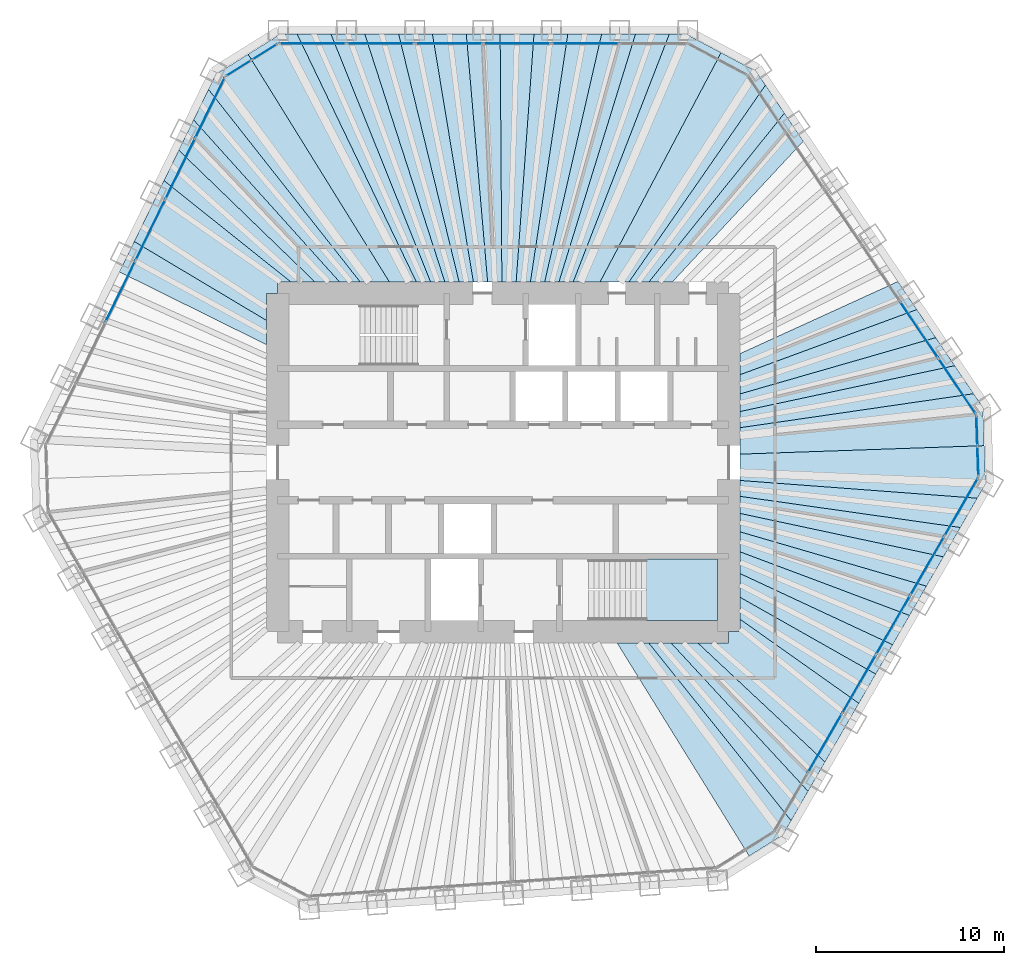
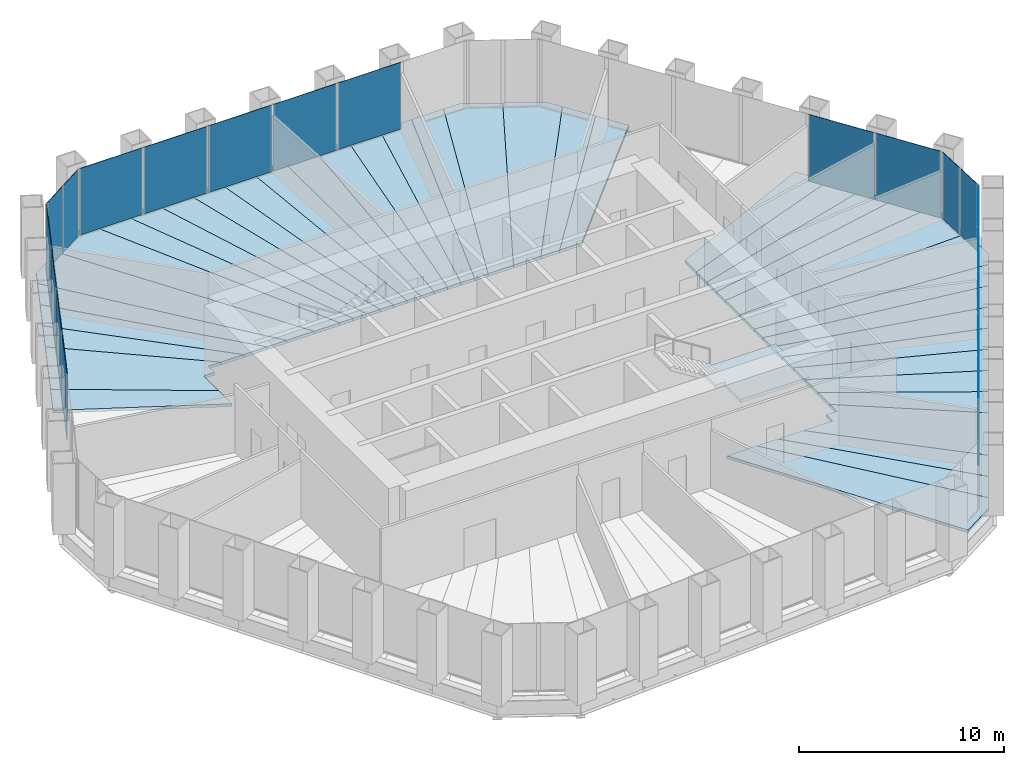
# One storey, part 9 of 13: 40 slabs, 20 plates, 7 elements without a shape of their own.
"""IFC4 building model written with IfcOpenShell, lengths in metres."""

from ifc_helpers import new_model, si_unit, direction, frame, origin, origin_2d, place, context, subcontext, project, spatial, polyline, rectangle, outline, extrude, material, layer, layer_set, type_object, element, aggregate, save


model = new_model("IFC4")

# Units and contexts
model_context = context("Model", 3, precision=1e-05, world=origin(), true_north=direction((0.0, 1.0)))
body_context = subcontext(model_context, "Body", "Model", "MODEL_VIEW")
ifc_project = project(units=[si_unit("LENGTHUNIT", "METRE"), si_unit("AREAUNIT", "SQUARE_METRE"), si_unit("VOLUMEUNIT", "CUBIC_METRE"), si_unit("PLANEANGLEUNIT", "RADIAN"), si_unit("MASSUNIT", "GRAM", prefix="KILO")], contexts=[model_context])

# Site, building, storey
site_placement = place(None, origin())
site = spatial("IfcSite", under=ifc_project, at=site_placement, CompositionType="ELEMENT")
building_placement = place(site_placement, origin())
building = spatial("IfcBuilding", under=site, at=building_placement, Name="Qingtian Harvest Tower", CompositionType="ELEMENT")
storey_placement = place(building_placement, frame((0.0, 0.0, 214.0)))
storey = spatial("IfcBuildingStorey", under=building, at=storey_placement, Name="L46", CompositionType="ELEMENT", Elevation=214.0)

# Slabs
ifc_material_1 = material(Name="Concrete fc' 35 MPa", Category="concrete")
ifc_layer_1 = layer(ifc_material_1, 0.169921875)
ifc_layer_set_1 = layer_set([ifc_layer_1], Name="Composite floor slab FS17 170")
slab_type_1 = type_object("IfcSlabType", Name="Composite floor slab FS17 170", PredefinedType="FLOOR", material=ifc_layer_set_1)
slab_1_placement = place(storey_placement, frame((0.0, 0.0, -0.169921875)))
element("IfcSlab", 1, at=slab_1_placement, inside=storey, type_object=slab_type_1, Name="Floor slab L46 panel D27", PredefinedType="FLOOR", context=body_context, shape_type="SweptSolid", body=[
    extrude(outline(polyline([(6.059326171875, -9.60009765625), (7.740966796875, -9.60009765625), (15.3271484375, -19.0625), (14.886962890625, -19.8251953125), (13.090576171875, -20.94775390625), (6.059326171875, -9.60009765625)])), origin(), (0.0, 0.0, 1.0), 0.169921875),
])
slab_2_placement = place(storey_placement, frame((0.0, 0.0, -0.169921875)))
element("IfcSlab", 2, at=slab_2_placement, inside=storey, type_object=slab_type_1, Name="Floor slab L46 panel D28", PredefinedType="FLOOR", context=body_context, shape_type="SweptSolid", body=[
    extrude(outline(polyline([(8.929443359375, -9.60009765625), (16.22802734375, -17.50244140625), (15.3271484375, -19.0625), (7.740966796875, -9.60009765625), (8.929443359375, -9.60009765625)])), origin(), (0.0, 0.0, 1.0), 0.169921875),
])
slab_3_placement = place(storey_placement, frame((0.0, 0.0, -0.169921875)))
element("IfcSlab", 3, at=slab_3_placement, inside=storey, type_object=slab_type_1, Name="Floor slab L46 panel D29", PredefinedType="FLOOR", context=body_context, shape_type="SweptSolid", body=[
    extrude(outline(polyline([(10.35205078125, -9.60009765625), (17.128662109375, -15.942138671875), (16.22802734375, -17.50244140625), (8.929443359375, -9.60009765625), (10.35205078125, -9.60009765625)])), origin(), (0.0, 0.0, 1.0), 0.169921875),
])
slab_4_placement = place(storey_placement, frame((0.0, 0.0, -0.169921875)))
element("IfcSlab", 4, at=slab_4_placement, inside=storey, type_object=slab_type_1, Name="Floor slab L46 panel D31", PredefinedType="FLOOR", context=body_context, shape_type="SweptSolid", body=[
    extrude(outline(polyline([(12.60009765625, -8.33984375), (18.931884765625, -12.819091796875), (17.128662109375, -15.942138671875), (10.35205078125, -9.60009765625), (12.0, -9.60009765625), (12.0, -9.0), (12.60009765625, -9.0), (12.60009765625, -8.33984375)])), origin(), (0.0, 0.0, 1.0), 0.169921875),
])
slab_5_placement = place(storey_placement, frame((0.0, 0.0, -0.169921875)))
element("IfcSlab", 5, at=slab_5_placement, inside=storey, type_object=slab_type_1, Name="Floor slab L46 panel D32", PredefinedType="FLOOR", context=body_context, shape_type="SweptSolid", body=[
    extrude(outline(polyline([(12.60009765625, -7.171142578125), (19.830322265625, -11.262939453125), (18.931884765625, -12.819091796875), (12.60009765625, -8.33984375), (12.60009765625, -7.171142578125)])), origin(), (0.0, 0.0, 1.0), 0.169921875),
])
slab_6_placement = place(storey_placement, frame((0.0, 0.0, -0.169921875)))
element("IfcSlab", 6, at=slab_6_placement, inside=storey, type_object=slab_type_1, Name="Floor slab L46 panel D33", PredefinedType="FLOOR", context=body_context, shape_type="SweptSolid", body=[
    extrude(outline(polyline([(12.60009765625, -5.91015625), (20.73095703125, -9.702880859375), (19.830322265625, -11.262939453125), (12.60009765625, -7.171142578125), (12.60009765625, -5.91015625)])), origin(), (0.0, 0.0, 1.0), 0.169921875),
])
slab_7_placement = place(storey_placement, frame((0.0, 0.0, -0.169921875)))
element("IfcSlab", 7, at=slab_7_placement, inside=storey, type_object=slab_type_1, Name="Floor slab L46 panel D34", PredefinedType="FLOOR", context=body_context, shape_type="SweptSolid", body=[
    extrude(outline(polyline([(12.60009765625, -4.75439453125), (21.6318359375, -8.142578125), (20.73095703125, -9.702880859375), (12.60009765625, -5.91015625), (12.60009765625, -4.75439453125)])), origin(), (0.0, 0.0, 1.0), 0.169921875),
])
slab_8_placement = place(storey_placement, frame((0.0, 0.0, -0.169921875)))
element("IfcSlab", 8, at=slab_8_placement, inside=storey, type_object=slab_type_1, Name="Floor slab L46 panel D35", PredefinedType="FLOOR", context=body_context, shape_type="SweptSolid", body=[
    extrude(outline(polyline([(12.60009765625, -3.691162109375), (22.532470703125, -6.58251953125), (21.6318359375, -8.142578125), (12.60009765625, -4.75439453125), (12.60009765625, -3.691162109375)])), origin(), (0.0, 0.0, 1.0), 0.169921875),
])
slab_9_placement = place(storey_placement, frame((0.0, 0.0, -0.169921875)))
element("IfcSlab", 9, at=slab_9_placement, inside=storey, type_object=slab_type_1, Name="Floor slab L46 panel D36", PredefinedType="FLOOR", context=body_context, shape_type="SweptSolid", body=[
    extrude(outline(polyline([(12.60009765625, -2.709716796875), (23.43310546875, -5.022705078125), (22.532470703125, -6.58251953125), (12.60009765625, -3.691162109375), (12.60009765625, -2.709716796875)])), origin(), (0.0, 0.0, 1.0), 0.169921875),
])
slab_10_placement = place(storey_placement, frame((0.0, 0.0, -0.169921875)))
element("IfcSlab", 10, at=slab_10_placement, inside=storey, type_object=slab_type_1, Name="Floor slab L46 panel D37", PredefinedType="FLOOR", context=body_context, shape_type="SweptSolid", body=[
    extrude(outline(polyline([(12.60009765625, -1.801025390625), (24.333740234375, -3.462646484375), (23.43310546875, -5.022705078125), (12.60009765625, -2.709716796875), (12.60009765625, -1.801025390625)])), origin(), (0.0, 0.0, 1.0), 0.169921875),
])
slab_11_placement = place(storey_placement, frame((0.0, 0.0, -0.169921875)))
element("IfcSlab", 11, at=slab_11_placement, inside=storey, type_object=slab_type_1, Name="Floor slab L46 panel D38", PredefinedType="FLOOR", context=body_context, shape_type="SweptSolid", body=[
    extrude(outline(polyline([(12.60009765625, -0.95703125), (25.234619140625, -1.902587890625), (24.333740234375, -3.462646484375), (12.60009765625, -1.801025390625), (12.60009765625, -0.95703125)])), origin(), (0.0, 0.0, 1.0), 0.169921875),
])
slab_12_placement = place(storey_placement, frame((0.0, 0.0, -0.169921875)))
element("IfcSlab", 12, at=slab_12_placement, inside=storey, type_object=slab_type_1, Name="Floor slab L46 panel D39", PredefinedType="FLOOR", context=body_context, shape_type="SweptSolid", body=[
    extrude(outline(polyline([(12.60009765625, -0.95703125), (12.60009765625, 0.442626953125), (25.603759765625, 0.89404296875), (25.6748046875, -1.139892578125), (25.234619140625, -1.902587890625), (12.60009765625, -0.95703125)])), origin(), (0.0, 0.0, 1.0), 0.169921875),
])
slab_13_placement = place(storey_placement, frame((0.0, 0.0, -0.169921875)))
element("IfcSlab", 13, at=slab_13_placement, inside=storey, type_object=slab_type_1, Name="Floor slab L46 panel D40", PredefinedType="FLOOR", context=body_context, shape_type="SweptSolid", body=[
    extrude(outline(polyline([(12.60009765625, 0.442626953125), (12.60009765625, 1.848876953125), (25.040283203125, 3.658203125), (25.53271484375, 2.92822265625), (25.603759765625, 0.89404296875), (12.60009765625, 0.442626953125)])), origin(), (0.0, 0.0, 1.0), 0.169921875),
])
slab_14_placement = place(storey_placement, frame((0.0, 0.0, -0.169921875)))
element("IfcSlab", 14, at=slab_14_placement, inside=storey, type_object=slab_type_1, Name="Floor slab L46 panel D41", PredefinedType="FLOOR", context=body_context, shape_type="SweptSolid", body=[
    extrude(outline(polyline([(12.60009765625, 2.710205078125), (24.032958984375, 5.151611328125), (25.040283203125, 3.658203125), (12.60009765625, 1.848876953125), (12.60009765625, 2.710205078125)])), origin(), (0.0, 0.0, 1.0), 0.169921875),
])
slab_15_placement = place(storey_placement, frame((0.0, 0.0, -0.169921875)))
element("IfcSlab", 15, at=slab_15_placement, inside=storey, type_object=slab_type_1, Name="Floor slab L46 panel D42", PredefinedType="FLOOR", context=body_context, shape_type="SweptSolid", body=[
    extrude(outline(polyline([(12.60009765625, 3.646728515625), (23.025634765625, 6.64501953125), (24.032958984375, 5.151611328125), (12.60009765625, 2.710205078125), (12.60009765625, 3.646728515625)])), origin(), (0.0, 0.0, 1.0), 0.169921875),
])
slab_16_placement = place(storey_placement, frame((0.0, 0.0, -0.169921875)))
element("IfcSlab", 16, at=slab_16_placement, inside=storey, type_object=slab_type_1, Name="Floor slab L46 panel D43", PredefinedType="FLOOR", context=body_context, shape_type="SweptSolid", body=[
    extrude(outline(polyline([(12.60009765625, 4.669189453125), (22.018310546875, 8.138427734375), (23.025634765625, 6.64501953125), (12.60009765625, 3.646728515625), (12.60009765625, 4.669189453125)])), origin(), (0.0, 0.0, 1.0), 0.169921875),
])
slab_17_placement = place(storey_placement, frame((0.0, 0.0, -0.169921875)))
element("IfcSlab", 17, at=slab_17_placement, inside=storey, type_object=slab_type_1, Name="Floor slab L46 panel D44", PredefinedType="FLOOR", context=body_context, shape_type="SweptSolid", body=[
    extrude(outline(polyline([(12.60009765625, 5.7900390625), (21.010986328125, 9.6318359375), (22.018310546875, 8.138427734375), (12.60009765625, 4.669189453125), (12.60009765625, 5.7900390625)])), origin(), (0.0, 0.0, 1.0), 0.169921875),
])
slab_18_placement = place(storey_placement, frame((0.0, 0.0, -0.169921875)))
element("IfcSlab", 18, at=slab_18_placement, inside=storey, type_object=slab_type_1, Name="Floor slab L46 panel D50", PredefinedType="FLOOR", context=body_context, shape_type="SweptSolid", body=[
    extrude(outline(polyline([(7.751220703125, 9.60009765625), (14.967529296875, 18.591796875), (15.974853515625, 17.098388671875), (8.998291015625, 9.60009765625), (7.751220703125, 9.60009765625)])), origin(), (0.0, 0.0, 1.0), 0.169921875),
])
slab_19_placement = place(storey_placement, frame((0.0, 0.0, -0.169921875)))
element("IfcSlab", 19, at=slab_19_placement, inside=storey, type_object=slab_type_1, Name="Floor slab L46 panel D51", PredefinedType="FLOOR", context=body_context, shape_type="SweptSolid", body=[
    extrude(outline(polyline([(6.6904296875, 9.60009765625), (13.960205078125, 20.085205078125), (14.967529296875, 18.591796875), (7.751220703125, 9.60009765625), (6.6904296875, 9.60009765625)])), origin(), (0.0, 0.0, 1.0), 0.169921875),
])
slab_20_placement = place(storey_placement, frame((0.0, 0.0, -0.169921875)))
element("IfcSlab", 20, at=slab_20_placement, inside=storey, type_object=slab_type_1, Name="Floor slab L46 panel D52", PredefinedType="FLOOR", context=body_context, shape_type="SweptSolid", body=[
    extrude(outline(polyline([(6.6904296875, 9.60009765625), (5.15185546875, 9.60009765625), (11.59716796875, 21.809814453125), (13.4677734375, 20.8154296875), (13.960205078125, 20.085205078125), (6.6904296875, 9.60009765625)])), origin(), (0.0, 0.0, 1.0), 0.169921875),
])
slab_21_placement = place(storey_placement, frame((0.0, 0.0, -0.169921875)))
element("IfcSlab", 21, at=slab_21_placement, inside=storey, type_object=slab_type_1, Name="Floor slab L46 panel D53", PredefinedType="FLOOR", context=body_context, shape_type="SweptSolid", body=[
    extrude(outline(polyline([(3.7236328125, 9.60009765625), (8.84521484375, 22.804931640625), (9.7255859375, 22.804931640625), (11.59716796875, 21.809814453125), (5.15185546875, 9.60009765625), (3.7236328125, 9.60009765625)])), origin(), (0.0, 0.0, 1.0), 0.169921875),
])
slab_22_placement = place(storey_placement, frame((0.0, 0.0, -0.169921875)))
element("IfcSlab", 22, at=slab_22_placement, inside=storey, type_object=slab_type_1, Name="Floor slab L46 panel D54", PredefinedType="FLOOR", context=body_context, shape_type="SweptSolid", body=[
    extrude(outline(polyline([(2.96533203125, 9.60009765625), (7.0439453125, 22.804931640625), (8.84521484375, 22.804931640625), (3.7236328125, 9.60009765625), (2.96533203125, 9.60009765625)])), origin(), (0.0, 0.0, 1.0), 0.169921875),
])
slab_23_placement = place(storey_placement, frame((0.0, 0.0, -0.169921875)))
element("IfcSlab", 23, at=slab_23_placement, inside=storey, type_object=slab_type_1, Name="Floor slab L46 panel D55", PredefinedType="FLOOR", context=body_context, shape_type="SweptSolid", body=[
    extrude(outline(polyline([(2.206787109375, 9.60009765625), (5.242431640625, 22.804931640625), (7.0439453125, 22.804931640625), (2.96533203125, 9.60009765625), (2.206787109375, 9.60009765625)])), origin(), (0.0, 0.0, 1.0), 0.169921875),
])
slab_24_placement = place(storey_placement, frame((0.0, 0.0, -0.169921875)))
element("IfcSlab", 24, at=slab_24_placement, inside=storey, type_object=slab_type_1, Name="Floor slab L46 panel D56", PredefinedType="FLOOR", context=body_context, shape_type="SweptSolid", body=[
    extrude(outline(polyline([(1.448486328125, 9.60009765625), (3.441162109375, 22.804931640625), (5.242431640625, 22.804931640625), (2.206787109375, 9.60009765625), (1.448486328125, 9.60009765625)])), origin(), (0.0, 0.0, 1.0), 0.169921875),
])
slab_25_placement = place(storey_placement, frame((0.0, 0.0, -0.169921875)))
element("IfcSlab", 25, at=slab_25_placement, inside=storey, type_object=slab_type_1, Name="Floor slab L46 panel D57", PredefinedType="FLOOR", context=body_context, shape_type="SweptSolid", body=[
    extrude(outline(polyline([(0.690185546875, 9.60009765625), (1.639892578125, 22.804931640625), (3.441162109375, 22.804931640625), (1.448486328125, 9.60009765625), (0.690185546875, 9.60009765625)])), origin(), (0.0, 0.0, 1.0), 0.169921875),
])
slab_26_placement = place(storey_placement, frame((0.0, 0.0, -0.169921875)))
element("IfcSlab", 26, at=slab_26_placement, inside=storey, type_object=slab_type_1, Name="Floor slab L46 panel D58", PredefinedType="FLOOR", context=body_context, shape_type="SweptSolid", body=[
    extrude(outline(polyline([(-0.068115234375, 9.60009765625), (-0.16162109375, 22.804931640625), (1.639892578125, 22.804931640625), (0.690185546875, 9.60009765625), (-0.068115234375, 9.60009765625)])), origin(), (0.0, 0.0, 1.0), 0.169921875),
])
slab_27_placement = place(storey_placement, frame((0.0, 0.0, -0.169921875)))
element("IfcSlab", 27, at=slab_27_placement, inside=storey, type_object=slab_type_1, Name="Floor slab L46 panel D59", PredefinedType="FLOOR", context=body_context, shape_type="SweptSolid", body=[
    extrude(outline(polyline([(-0.826416015625, 9.60009765625), (-1.962890625, 22.804931640625), (-0.16162109375, 22.804931640625), (-0.068115234375, 9.60009765625), (-0.826416015625, 9.60009765625)])), origin(), (0.0, 0.0, 1.0), 0.169921875),
])
slab_28_placement = place(storey_placement, frame((0.0, 0.0, -0.169921875)))
element("IfcSlab", 28, at=slab_28_placement, inside=storey, type_object=slab_type_1, Name="Floor slab L46 panel D60", PredefinedType="FLOOR", context=body_context, shape_type="SweptSolid", body=[
    extrude(outline(polyline([(-1.584716796875, 9.60009765625), (-3.764404296875, 22.804931640625), (-1.962890625, 22.804931640625), (-0.826416015625, 9.60009765625), (-1.584716796875, 9.60009765625)])), origin(), (0.0, 0.0, 1.0), 0.169921875),
])
slab_29_placement = place(storey_placement, frame((0.0, 0.0, -0.169921875)))
element("IfcSlab", 29, at=slab_29_placement, inside=storey, type_object=slab_type_1, Name="Floor slab L46 panel D61", PredefinedType="FLOOR", context=body_context, shape_type="SweptSolid", body=[
    extrude(outline(polyline([(-2.343017578125, 9.60009765625), (-5.565673828125, 22.804931640625), (-3.764404296875, 22.804931640625), (-1.584716796875, 9.60009765625), (-2.343017578125, 9.60009765625)])), origin(), (0.0, 0.0, 1.0), 0.169921875),
])
slab_30_placement = place(storey_placement, frame((0.0, 0.0, -0.169921875)))
element("IfcSlab", 30, at=slab_30_placement, inside=storey, type_object=slab_type_1, Name="Floor slab L46 panel D62", PredefinedType="FLOOR", context=body_context, shape_type="SweptSolid", body=[
    extrude(outline(polyline([(-3.101318359375, 9.60009765625), (-7.366943359375, 22.804931640625), (-5.565673828125, 22.804931640625), (-2.343017578125, 9.60009765625), (-3.101318359375, 9.60009765625)])), origin(), (0.0, 0.0, 1.0), 0.169921875),
])
slab_31_placement = place(storey_placement, frame((0.0, 0.0, -0.169921875)))
element("IfcSlab", 31, at=slab_31_placement, inside=storey, type_object=slab_type_1, Name="Floor slab L46 panel D63", PredefinedType="FLOOR", context=body_context, shape_type="SweptSolid", body=[
    extrude(outline(polyline([(-3.859619140625, 9.60009765625), (-9.16845703125, 22.804931640625), (-7.366943359375, 22.804931640625), (-3.101318359375, 9.60009765625), (-3.859619140625, 9.60009765625)])), origin(), (0.0, 0.0, 1.0), 0.169921875),
])
slab_32_placement = place(storey_placement, frame((0.0, 0.0, -0.169921875)))
element("IfcSlab", 32, at=slab_32_placement, inside=storey, type_object=slab_type_1, Name="Floor slab L46 panel D64", PredefinedType="FLOOR", context=body_context, shape_type="SweptSolid", body=[
    extrude(outline(polyline([(-4.617919921875, 9.60009765625), (-10.9697265625, 22.804931640625), (-9.16845703125, 22.804931640625), (-3.859619140625, 9.60009765625), (-4.617919921875, 9.60009765625)])), origin(), (0.0, 0.0, 1.0), 0.169921875),
])
slab_33_placement = place(storey_placement, frame((0.0, 0.0, -0.169921875)))
element("IfcSlab", 33, at=slab_33_placement, inside=storey, type_object=slab_type_1, Name="Floor slab L46 panel D65", PredefinedType="FLOOR", context=body_context, shape_type="SweptSolid", body=[
    extrude(outline(polyline([(-4.617919921875, 9.60009765625), (-6.050537109375, 9.60009765625), (-13.57666015625, 21.72607421875), (-11.85009765625, 22.804931640625), (-10.9697265625, 22.804931640625), (-4.617919921875, 9.60009765625)])), origin(), (0.0, 0.0, 1.0), 0.169921875),
])
slab_34_placement = place(storey_placement, frame((0.0, 0.0, -0.169921875)))
element("IfcSlab", 34, at=slab_34_placement, inside=storey, type_object=slab_type_1, Name="Floor slab L46 panel D66", PredefinedType="FLOOR", context=body_context, shape_type="SweptSolid", body=[
    extrude(outline(polyline([(-6.050537109375, 9.60009765625), (-7.60498046875, 9.60009765625), (-15.688232421875, 19.8564453125), (-15.30224609375, 20.64794921875), (-13.57666015625, 21.72607421875), (-6.050537109375, 9.60009765625)])), origin(), (0.0, 0.0, 1.0), 0.169921875),
])
slab_35_placement = place(storey_placement, frame((0.0, 0.0, -0.169921875)))
element("IfcSlab", 35, at=slab_35_placement, inside=storey, type_object=slab_type_1, Name="Floor slab L46 panel D67", PredefinedType="FLOOR", context=body_context, shape_type="SweptSolid", body=[
    extrude(outline(polyline([(-8.699951171875, 9.60009765625), (-16.47802734375, 18.2373046875), (-15.688232421875, 19.8564453125), (-7.60498046875, 9.60009765625), (-8.699951171875, 9.60009765625)])), origin(), (0.0, 0.0, 1.0), 0.169921875),
])
slab_36_placement = place(storey_placement, frame((0.0, 0.0, -0.169921875)))
element("IfcSlab", 36, at=slab_36_placement, inside=storey, type_object=slab_type_1, Name="Floor slab L46 panel D68", PredefinedType="FLOOR", context=body_context, shape_type="SweptSolid", body=[
    extrude(outline(polyline([(-10.009765625, 9.60009765625), (-17.267822265625, 16.6181640625), (-16.47802734375, 18.2373046875), (-8.699951171875, 9.60009765625), (-10.009765625, 9.60009765625)])), origin(), (0.0, 0.0, 1.0), 0.169921875),
])
slab_37_placement = place(storey_placement, frame((0.0, 0.0, -0.169921875)))
element("IfcSlab", 37, at=slab_37_placement, inside=storey, type_object=slab_type_1, Name="Floor slab L46 panel D69", PredefinedType="FLOOR", context=body_context, shape_type="SweptSolid", body=[
    extrude(outline(polyline([(-11.28759765625, 9.60009765625), (-18.055419921875, 15.003173828125), (-17.267822265625, 16.6181640625), (-10.009765625, 9.60009765625), (-11.28759765625, 9.60009765625)])), origin(), (0.0, 0.0, 1.0), 0.169921875),
])
slab_38_placement = place(storey_placement, frame((0.0, 0.0, -0.169921875)))
element("IfcSlab", 38, at=slab_38_placement, inside=storey, type_object=slab_type_1, Name="Floor slab L46 panel D70", PredefinedType="FLOOR", context=body_context, shape_type="SweptSolid", body=[
    extrude(outline(polyline([(-12.0, 9.0), (-12.60009765625, 9.0), (-12.60009765625, 7.560302734375), (-19.636474609375, 11.761474609375), (-18.055419921875, 15.003173828125), (-11.28759765625, 9.60009765625), (-12.0, 9.60009765625), (-12.0, 9.0)])), origin(), (0.0, 0.0, 1.0), 0.169921875),
])
slab_39_placement = place(storey_placement, frame((0.0, 0.0, -0.169921875)))
element("IfcSlab", 39, at=slab_39_placement, inside=storey, type_object=slab_type_1, Name="Floor slab L46 panel D72", PredefinedType="FLOOR", context=body_context, shape_type="SweptSolid", body=[
    extrude(outline(polyline([(-12.60009765625, 6.268310546875), (-20.426025390625, 10.142578125), (-19.636474609375, 11.761474609375), (-12.60009765625, 7.560302734375), (-12.60009765625, 6.268310546875)])), origin(), (0.0, 0.0, 1.0), 0.169921875),
])

# Curtain wall, plates
ifc_material_2 = material(Name="Bronze-anodised aluminium curtain wall", Category="aluminium")
curtain_wall_type = type_object("IfcCurtainWallType", Name="Curtain wall CW4 office", PredefinedType="USERDEFINED", material=ifc_material_2)
curtain_wall_1_placement = place(storey_placement, origin())
curtain_wall_1 = element("IfcCurtainWall", 40, at=curtain_wall_1_placement, inside=storey, type_object=curtain_wall_type, Name="Curtain wall CW4 L46 N0-5", ObjectType="RECESSED CURTAIN WALL", PredefinedType="USERDEFINED")
ifc_material_3 = material(Name="Bronze-tinted laminated insulating glass", Category="glass")
ifc_layer_2 = layer(ifc_material_3, 0.030029296875)
ifc_layer_set_2 = layer_set([ifc_layer_2], Name="Glazed panel CWP tinted IGU")
plate_type = type_object("IfcPlateType", Name="Glazed panel CWP tinted IGU", PredefinedType="CURTAIN_PANEL", material=ifc_layer_set_2)
plate_1_placement = place(storey_placement, frame((-10.138916015625, 22.300048828125, 0.06494140625), z_axis=(0.0, 0.0, 1.0), x_axis=(1.0, 0.0, 0.0)))
plate_1 = element("IfcPlate", 41, at=plate_1_placement, type_object=plate_type, Name="CW4 panel 1.1", PredefinedType="CURTAIN_PANEL", context=body_context, shape_type="SweptSolid", body=[
    extrude(rectangle(XDim=3.5361328125, YDim=0.030029296875, at=origin_2d()), origin(), (0.0, 0.0, 1.0), 3.965087890625),
])
plate_2_placement = place(storey_placement, frame((-6.521728515625, 22.300048828125, 0.06494140625), z_axis=(0.0, 0.0, 1.0), x_axis=(1.0, 0.0, 0.0)))
plate_2 = element("IfcPlate", 42, at=plate_2_placement, type_object=plate_type, Name="CW4 panel 2.1", PredefinedType="CURTAIN_PANEL", context=body_context, shape_type="SweptSolid", body=[
    extrude(rectangle(XDim=3.568603515625, YDim=0.030029296875, at=origin_2d()), origin(), (0.0, 0.0, 1.0), 3.965087890625),
])
plate_3_placement = place(storey_placement, frame((-2.88818359375, 22.300048828125, 0.06494140625), z_axis=(0.0, 0.0, 1.0), x_axis=(1.0, 0.0, 0.0)))
plate_3 = element("IfcPlate", 43, at=plate_3_placement, type_object=plate_type, Name="CW4 panel 3.1", PredefinedType="CURTAIN_PANEL", context=body_context, shape_type="SweptSolid", body=[
    extrude(rectangle(XDim=3.568603515625, YDim=0.030029296875, at=origin_2d()), origin(), (0.0, 0.0, 1.0), 3.965087890625),
])
plate_4_placement = place(storey_placement, frame((0.745361328125, 22.300048828125, 0.06494140625), z_axis=(0.0, 0.0, 1.0), x_axis=(1.0, 0.0, 0.0)))
plate_4 = element("IfcPlate", 44, at=plate_4_placement, type_object=plate_type, Name="CW4 panel 4.1", PredefinedType="CURTAIN_PANEL", context=body_context, shape_type="SweptSolid", body=[
    extrude(rectangle(XDim=3.568603515625, YDim=0.030029296875, at=origin_2d()), origin(), (0.0, 0.0, 1.0), 3.965087890625),
])
plate_5_placement = place(storey_placement, frame((4.37890625, 22.300048828125, 0.06494140625), z_axis=(0.0, 0.0, 1.0), x_axis=(1.0, 0.0, 0.0)))
plate_5 = element("IfcPlate", 45, at=plate_5_placement, type_object=plate_type, Name="CW4 panel 5.1", PredefinedType="CURTAIN_PANEL", context=body_context, shape_type="SweptSolid", body=[
    extrude(rectangle(XDim=3.568603515625, YDim=0.030029296875, at=origin_2d()), origin(), (0.0, 0.0, 1.0), 3.965087890625),
])
aggregate(curtain_wall_1, [plate_1, plate_2, plate_3, plate_4, plate_5])

curtain_wall_2_placement = place(storey_placement, origin())
curtain_wall_2 = element("IfcCurtainWall", 46, at=curtain_wall_2_placement, inside=storey, type_object=curtain_wall_type, Name="Curtain wall CW4 L46 NE0-5", ObjectType="RECESSED CURTAIN WALL", PredefinedType="USERDEFINED")
plate_6_placement = place(storey_placement, frame((22.134521484375, 7.063232421875, 0.06494140625), z_axis=(0.0, 0.0, 1.0), x_axis=(0.559192903471, -0.829037572555, 0.0)))
plate_6 = element("IfcPlate", 47, at=plate_6_placement, type_object=plate_type, Name="CW4 panel 5.1", PredefinedType="CURTAIN_PANEL", context=body_context, shape_type="SweptSolid", body=[
    extrude(rectangle(XDim=3.568603515625, YDim=0.030029296875, at=origin_2d()), origin(), (0.0, 0.0, 1.0), 3.965087890625),
])
plate_7_placement = place(storey_placement, frame((24.1572265625, 4.064453125, 0.06494140625), z_axis=(0.0, 0.0, 1.0), x_axis=(0.559192903471, -0.829037572555, 0.0)))
plate_7 = element("IfcPlate", 48, at=plate_7_placement, type_object=plate_type, Name="CW4 panel 6.1", PredefinedType="CURTAIN_PANEL", context=body_context, shape_type="SweptSolid", body=[
    extrude(rectangle(XDim=3.5361328125, YDim=0.030029296875, at=origin_2d()), origin(), (0.0, 0.0, 1.0), 3.965087890625),
])
aggregate(curtain_wall_2, [plate_6, plate_7])

curtain_wall_3_placement = place(storey_placement, origin())
curtain_wall_3 = element("IfcCurtainWall", 49, at=curtain_wall_3_placement, inside=storey, type_object=curtain_wall_type, Name="Curtain wall CW4 L46 NEC", ObjectType="RECESSED CURTAIN WALL", PredefinedType="USERDEFINED")
plate_8_placement = place(storey_placement, frame((25.2119140625, 1.69677734375, 0.06494140625), z_axis=(0.0, 0.0, 1.0), x_axis=(0.034899496703, -0.999390827019, 0.0)))
plate_8 = element("IfcPlate", 50, at=plate_8_placement, type_object=plate_type, Name="CW4 panel 1.1", PredefinedType="CURTAIN_PANEL", context=body_context, shape_type="SweptSolid", body=[
    extrude(rectangle(XDim=1.56689453125, YDim=0.030029296875, at=origin_2d()), origin(), (0.0, 0.0, 1.0), 3.965087890625),
])
plate_9_placement = place(storey_placement, frame((25.268798828125, 0.06591796875, 0.06494140625), z_axis=(0.0, 0.0, 1.0), x_axis=(0.034899496703, -0.999390827019, 0.0)))
plate_9 = element("IfcPlate", 51, at=plate_9_placement, type_object=plate_type, Name="CW4 panel 2.1", PredefinedType="CURTAIN_PANEL", context=body_context, shape_type="SweptSolid", body=[
    extrude(rectangle(XDim=1.56689453125, YDim=0.030029296875, at=origin_2d()), origin(), (0.0, 0.0, 1.0), 3.965087890625),
])
aggregate(curtain_wall_3, [plate_8, plate_9])

curtain_wall_4_placement = place(storey_placement, origin())
curtain_wall_4 = element("IfcCurtainWall", 52, at=curtain_wall_4_placement, inside=storey, type_object=curtain_wall_type, Name="Curtain wall CW4 L46 SE0-5", ObjectType="RECESSED CURTAIN WALL", PredefinedType="USERDEFINED")
plate_10_placement = place(storey_placement, frame((24.3818359375, -2.369384765625, 0.06494140625), z_axis=(0.0, 0.0, 1.0), x_axis=(-0.5, -0.866025403784, 0.0)))
plate_10 = element("IfcPlate", 53, at=plate_10_placement, type_object=plate_type, Name="CW4 panel 1.1", PredefinedType="CURTAIN_PANEL", context=body_context, shape_type="SweptSolid", body=[
    extrude(rectangle(XDim=3.5361328125, YDim=0.030029296875, at=origin_2d()), origin(), (0.0, 0.0, 1.0), 3.965087890625),
])
plate_11_placement = place(storey_placement, frame((22.5732421875, -5.501953125, 0.06494140625), z_axis=(0.0, 0.0, 1.0), x_axis=(-0.5, -0.866025403784, 0.0)))
plate_11 = element("IfcPlate", 54, at=plate_11_placement, type_object=plate_type, Name="CW4 panel 2.1", PredefinedType="CURTAIN_PANEL", context=body_context, shape_type="SweptSolid", body=[
    extrude(rectangle(XDim=3.568603515625, YDim=0.030029296875, at=origin_2d()), origin(), (0.0, 0.0, 1.0), 3.965087890625),
])
plate_12_placement = place(storey_placement, frame((20.75634765625, -8.64892578125, 0.06494140625), z_axis=(0.0, 0.0, 1.0), x_axis=(-0.5, -0.866025403784, 0.0)))
plate_12 = element("IfcPlate", 55, at=plate_12_placement, type_object=plate_type, Name="CW4 panel 3.1", PredefinedType="CURTAIN_PANEL", context=body_context, shape_type="SweptSolid", body=[
    extrude(rectangle(XDim=3.568603515625, YDim=0.030029296875, at=origin_2d()), origin(), (0.0, 0.0, 1.0), 3.965087890625),
])
plate_13_placement = place(storey_placement, frame((18.939697265625, -11.795654296875, 0.06494140625), z_axis=(0.0, 0.0, 1.0), x_axis=(-0.5, -0.866025403784, 0.0)))
plate_13 = element("IfcPlate", 56, at=plate_13_placement, type_object=plate_type, Name="CW4 panel 4.1", PredefinedType="CURTAIN_PANEL", context=body_context, shape_type="SweptSolid", body=[
    extrude(rectangle(XDim=3.568603515625, YDim=0.030029296875, at=origin_2d()), origin(), (0.0, 0.0, 1.0), 3.965087890625),
])
plate_14_placement = place(storey_placement, frame((17.122802734375, -14.9423828125, 0.06494140625), z_axis=(0.0, 0.0, 1.0), x_axis=(-0.5, -0.866025403784, 0.0)))
plate_14 = element("IfcPlate", 57, at=plate_14_placement, type_object=plate_type, Name="CW4 panel 5.1", PredefinedType="CURTAIN_PANEL", context=body_context, shape_type="SweptSolid", body=[
    extrude(rectangle(XDim=3.568603515625, YDim=0.030029296875, at=origin_2d()), origin(), (0.0, 0.0, 1.0), 3.965087890625),
])
aggregate(curtain_wall_4, [plate_10, plate_11, plate_12, plate_13, plate_14])

curtain_wall_5_placement = place(storey_placement, origin())
curtain_wall_5 = element("IfcCurtainWall", 58, at=curtain_wall_5_placement, inside=storey, type_object=curtain_wall_type, Name="Curtain wall CW4 L46 NW0-5", ObjectType="RECESSED CURTAIN WALL", PredefinedType="USERDEFINED")
plate_15_placement = place(storey_placement, frame((-20.369873046875, 9.105712890625, 0.06494140625), z_axis=(0.0, 0.0, 1.0), x_axis=(0.438371146789, 0.898794046299, 0.0)))
plate_15 = element("IfcPlate", 59, at=plate_15_placement, type_object=plate_type, Name="CW4 panel 3.1", PredefinedType="CURTAIN_PANEL", context=body_context, shape_type="SweptSolid", body=[
    extrude(rectangle(XDim=3.568603515625, YDim=0.030029296875, at=origin_2d()), origin(), (0.0, 0.0, 1.0), 3.965087890625),
])
plate_16_placement = place(storey_placement, frame((-18.777099609375, 12.37158203125, 0.06494140625), z_axis=(0.0, 0.0, 1.0), x_axis=(0.438371146789, 0.898794046299, 0.0)))
plate_16 = element("IfcPlate", 60, at=plate_16_placement, type_object=plate_type, Name="CW4 panel 4.1", PredefinedType="CURTAIN_PANEL", context=body_context, shape_type="SweptSolid", body=[
    extrude(rectangle(XDim=3.568603515625, YDim=0.030029296875, at=origin_2d()), origin(), (0.0, 0.0, 1.0), 3.965087890625),
])
plate_17_placement = place(storey_placement, frame((-17.18408203125, 15.63720703125, 0.06494140625), z_axis=(0.0, 0.0, 1.0), x_axis=(0.438371146789, 0.898794046299, 0.0)))
plate_17 = element("IfcPlate", 61, at=plate_17_placement, type_object=plate_type, Name="CW4 panel 5.1", PredefinedType="CURTAIN_PANEL", context=body_context, shape_type="SweptSolid", body=[
    extrude(rectangle(XDim=3.568603515625, YDim=0.030029296875, at=origin_2d()), origin(), (0.0, 0.0, 1.0), 3.965087890625),
])
plate_18_placement = place(storey_placement, frame((-15.598388671875, 18.888427734375, 0.06494140625), z_axis=(0.0, 0.0, 1.0), x_axis=(0.438371146789, 0.898794046299, 0.0)))
plate_18 = element("IfcPlate", 62, at=plate_18_placement, type_object=plate_type, Name="CW4 panel 6.1", PredefinedType="CURTAIN_PANEL", context=body_context, shape_type="SweptSolid", body=[
    extrude(rectangle(XDim=3.5361328125, YDim=0.030029296875, at=origin_2d()), origin(), (0.0, 0.0, 1.0), 3.965087890625),
])
aggregate(curtain_wall_5, [plate_15, plate_16, plate_17, plate_18])

curtain_wall_6_placement = place(storey_placement, origin())
curtain_wall_6 = element("IfcCurtainWall", 63, at=curtain_wall_6_placement, inside=storey, type_object=curtain_wall_type, Name="Curtain wall CW4 L46 NWC", ObjectType="RECESSED CURTAIN WALL", PredefinedType="USERDEFINED")
plate_19_placement = place(storey_placement, frame((-14.075439453125, 20.985595703125, 0.06494140625), z_axis=(0.0, 0.0, 1.0), x_axis=(0.848048096156, 0.529919264233, 0.0)))
plate_19 = element("IfcPlate", 64, at=plate_19_placement, type_object=plate_type, Name="CW4 panel 1.1", PredefinedType="CURTAIN_PANEL", context=body_context, shape_type="SweptSolid", body=[
    extrude(rectangle(XDim=1.56689453125, YDim=0.030029296875, at=origin_2d()), origin(), (0.0, 0.0, 1.0), 3.965087890625),
])
plate_20_placement = place(storey_placement, frame((-12.69140625, 21.850341796875, 0.06494140625), z_axis=(0.0, 0.0, 1.0), x_axis=(0.848048096156, 0.529919264233, 0.0)))
plate_20 = element("IfcPlate", 65, at=plate_20_placement, type_object=plate_type, Name="CW4 panel 2.1", PredefinedType="CURTAIN_PANEL", context=body_context, shape_type="SweptSolid", body=[
    extrude(rectangle(XDim=1.56689453125, YDim=0.030029296875, at=origin_2d()), origin(), (0.0, 0.0, 1.0), 3.965087890625),
])
aggregate(curtain_wall_6, [plate_19, plate_20])

# Stair, slab
ifc_material_4 = material(Name="Concrete fc' 35 MPa", Category="concrete")
stair_type = type_object("IfcStairType", Name="Special stair ST4 4200", PredefinedType="HALF_TURN_STAIR", material=ifc_material_4)
stair_placement = place(storey_placement, origin())
stair = element("IfcStair", 66, at=stair_placement, inside=storey, type_object=stair_type, Name="Special stair S2 L46", PredefinedType="HALF_TURN_STAIR")
ifc_material_5 = material(Name="Concrete fc' 35 MPa", Category="concrete")
ifc_layer_3 = layer(ifc_material_5, 0.199951171875)
ifc_layer_set_3 = layer_set([ifc_layer_3], Name="Stair landing SL2 200")
slab_type_2 = type_object("IfcSlabType", Name="Stair landing SL2 200", PredefinedType="LANDING", material=ifc_layer_set_3)
slab_40_placement = place(storey_placement, frame((0.0, 0.0, 1.89990234375)))
slab_40 = element("IfcSlab", 67, at=slab_40_placement, type_object=slab_type_2, Name="S2 landing 2", PredefinedType="LANDING", context=body_context, shape_type="SweptSolid", body=[
    extrude(outline(polyline([(7.530029296875, -8.39990234375), (7.530029296875, -6.824951171875), (7.6298828125, -6.824951171875), (7.6298828125, -6.72509765625), (7.094970703125, -6.72509765625), (7.094970703125, -5.14990234375), (11.39990234375, -5.14990234375), (11.39990234375, -8.39990234375), (7.530029296875, -8.39990234375)])), origin(), (0.0, 0.0, 1.0), 0.2001953125),
])
aggregate(stair, [slab_40])

save(model, "model.ifc")
